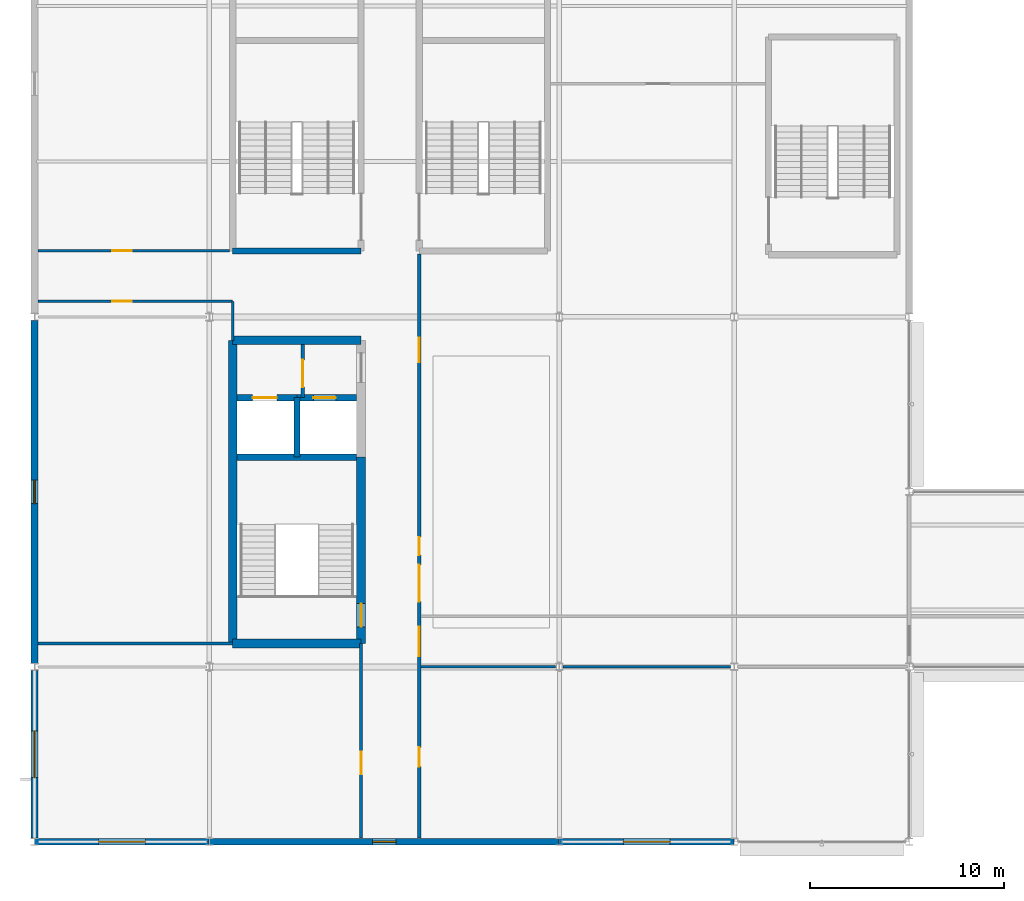
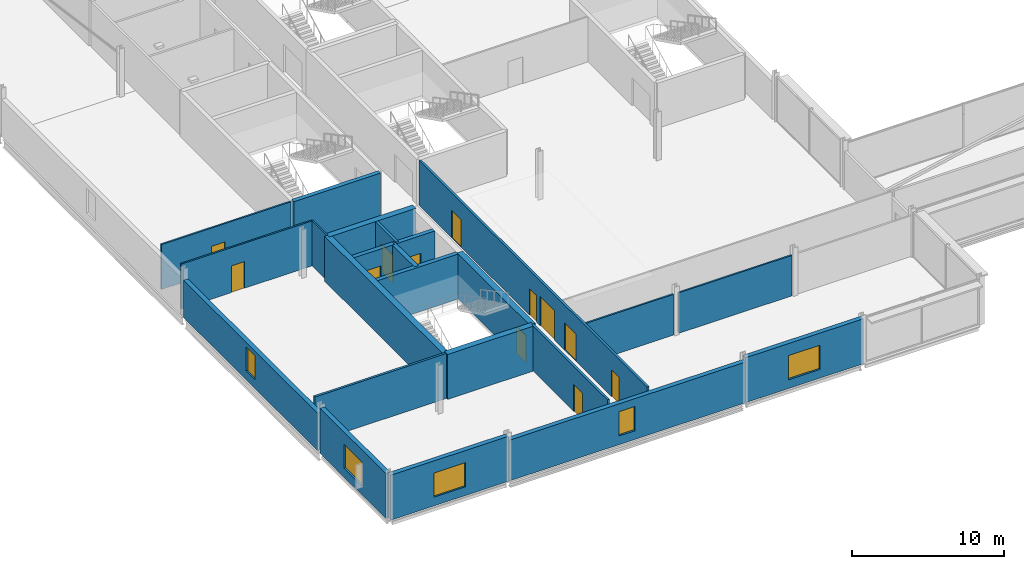
# One storey, part 57 of 98: 23 walls, 12 doors, 5 windows, 17 openings.
"""IFC4 building model written with IfcOpenShell, lengths in metres."""

from ifc_helpers import new_model, si_unit, direction, frame, frame_2d, origin, place, context, subcontext, project, spatial, rectangle, extrude, material, layer, layer_set, type_object, element, fill, save


model = new_model("IFC4")

# Units and contexts
model_context = context("Model", 3, precision=1e-05, world=origin(), true_north=direction((0.0, 1.0)))
body_context = subcontext(model_context, "Body", "Model", "MODEL_VIEW")
ifc_project = project(units=[si_unit("LENGTHUNIT", "METRE"), si_unit("AREAUNIT", "SQUARE_METRE"), si_unit("VOLUMEUNIT", "CUBIC_METRE"), si_unit("PLANEANGLEUNIT", "RADIAN"), si_unit("MASSUNIT", "GRAM", prefix="KILO")], contexts=[model_context])

# Site, building, storey
site_placement = place(None, origin())
site = spatial("IfcSite", under=ifc_project, at=site_placement, CompositionType="ELEMENT")
building_placement = place(site_placement, origin())
building = spatial("IfcBuilding", under=site, at=building_placement, Name="Kisiwana Market Hall", CompositionType="ELEMENT")
storey_placement = place(building_placement, frame((0.0, 0.0, 29.39990234375)))
storey = spatial("IfcBuildingStorey", under=building, at=storey_placement, Name="L06", CompositionType="ELEMENT", Elevation=29.39990234375)

# Wall, opening, door
ifc_material_1 = material(Name="Masonry blockwork", Category="masonry")
ifc_layer_1 = layer(ifc_material_1, 0.199951171875, Name="Plastered fire compartment block wall")
ifc_layer_set_1 = layer_set([ifc_layer_1], Name="WL-COMP-200")
wall_type_1 = type_object("IfcWallType", Name="WL-COMP-200", PredefinedType="PARTITIONING", material=ifc_layer_set_1)
wall_1_placement = place(storey_placement, frame((13.800048828125, 31.844970703125, 0.0), z_axis=(0.0, 0.0, 1.0), x_axis=(0.0, 1.0, 0.0)))
wall_1 = element("IfcWall", 1, at=wall_1_placement, inside=storey, type_object=wall_type_1, Name="Core W2 firefighting lobby wall W-2014", PredefinedType="PARTITIONING", context=body_context, shape_type="SweptSolid", body=[
    extrude(rectangle(XDim=2.72998046875, YDim=0.199951171875, at=frame_2d((1.364990234375, 0.0))), origin(), (0.0, 0.0, 1.0), 3.6201171875),
])
opening_1_placement = place(wall_1_placement, frame((0.550048828125, 0.0, 0.0)))
opening_1 = element("IfcOpeningElement", 2, at=opening_1_placement, cuts=wall_1, Name="Opening DR-L06-003", PredefinedType="OPENING", context=body_context, shape_type="SweptSolid", body=[
    extrude(rectangle(XDim=1.39990234375, YDim=2.25, at=frame_2d((0.699951171875, 1.125))), frame((0.0, 0.11181640625, 0.0), z_axis=(0.0, -1.0, 0.0), x_axis=(1.0, 0.0, 0.0)), (0.0, 0.0, 1.0), 0.223876953125),
])
ifc_material_2 = material(Name="Steel S275", Category="steel")
door_type_1 = type_object("IfcDoorType", Name="DR-FFLOB-FD120-1400", OperationType="DOUBLE_DOOR_SINGLE_SWING", PredefinedType="DOOR", material=ifc_material_2)
door_1_placement = place(opening_1_placement, frame((1.39990234375, 0.0, 0.0), z_axis=(0.0, 0.0, 1.0), x_axis=(-1.0, 0.0, 0.0)))
door_1 = element("IfcDoor", 3, at=door_1_placement, inside=storey, type_object=door_type_1, Name="Firefighting Lift Lobby W2 Door (L06)", OperationType="DOUBLE_DOOR_SINGLE_SWING", OverallHeight=2.25, OverallWidth=1.39990234375, PredefinedType="DOOR", context=body_context, shape_type="SweptSolid", body=[
    extrude(rectangle(XDim=1.39990234375, YDim=2.25, at=frame_2d((0.699951171875, 1.125))), frame((0.0, 0.02490234375, 0.0), z_axis=(0.0, -1.0, 0.0), x_axis=(1.0, 0.0, 0.0)), (0.0, 0.0, 1.0), 0.050048828125),
])
fill(opening_1, door_1)

# Walls
ifc_material_3 = material(Name="Concrete C40/50", Category="concrete")
ifc_layer_2 = layer(ifc_material_3, 0.320068359375, Name="Reinforced concrete shaft wall")
ifc_layer_set_2 = layer_set([ifc_layer_2], Name="WL-CORE-320")
wall_type_2 = type_object("IfcWallType", Name="WL-CORE-320", PredefinedType="SHEAR", material=ifc_layer_set_2)
wall_2_placement = place(storey_placement, frame((10.425048828125, 28.784912109375, 0.0), z_axis=(0.0, 0.0, 1.0), x_axis=(1.0, 0.0, 0.0)))
element("IfcWall", 4, at=wall_2_placement, inside=storey, type_object=wall_type_2, Name="Core W2 shaft back shear wall W-1895", PredefinedType="SHEAR", context=body_context, shape_type="SweptSolid", body=[
    extrude(rectangle(XDim=6.14990234375, YDim=0.320068359375, at=frame_2d((3.074951171875, 0.0))), origin(), (0.0, 0.0, 1.0), 3.6201171875),
])
wall_3_placement = place(storey_placement, frame((13.5, 28.784912109375, 0.0), z_axis=(0.0, 0.0, 1.0), x_axis=(0.0, 1.0, 0.0)))
element("IfcWall", 5, at=wall_3_placement, inside=storey, type_object=wall_type_2, Name="Core W2 inter-shaft shear wall W-1896", PredefinedType="SHEAR", context=body_context, shape_type="SweptSolid", body=[
    extrude(rectangle(XDim=3.06005859375, YDim=0.320068359375, at=frame_2d((1.530029296875, 0.0))), origin(), (0.0, 0.0, 1.0), 3.6201171875),
])

# Wall, opening, door
wall_4_placement = place(storey_placement, frame((10.425048828125, 31.844970703125, 0.0), z_axis=(0.0, 0.0, 1.0), x_axis=(1.0, 0.0, 0.0)))
wall_4 = element("IfcWall", 6, at=wall_4_placement, inside=storey, type_object=wall_type_2, Name="Core W2 west lift front wall W-1897", PredefinedType="SHEAR", context=body_context, shape_type="SweptSolid", body=[
    extrude(rectangle(XDim=3.074951171875, YDim=0.320068359375, at=frame_2d((1.53759765625, 0.0))), origin(), (0.0, 0.0, 1.0), 3.6201171875),
])
opening_2_placement = place(wall_4_placement, frame((0.800048828125, 0.0, 0.0)))
opening_2 = element("IfcOpeningElement", 7, at=opening_2_placement, cuts=wall_4, Name="Opening LD-L06-001", PredefinedType="OPENING", context=body_context, shape_type="SweptSolid", body=[
    extrude(rectangle(XDim=1.25, YDim=2.25, at=frame_2d((0.625, 1.125))), frame((0.0, 0.171875, 0.0), z_axis=(0.0, -1.0, 0.0), x_axis=(1.0, 0.0, 0.0)), (0.0, 0.0, 1.0), 0.343994140625),
])
ifc_material_4 = material(Name="Steel S275", Category="steel")
door_type_2 = type_object("IfcDoorType", Name="DR-LIFT-FFL-1250", OperationType="DOUBLE_DOOR_SLIDING", PredefinedType="DOOR", material=ifc_material_4)
door_2_placement = place(opening_2_placement, origin())
door_2 = element("IfcDoor", 8, at=door_2_placement, inside=storey, type_object=door_type_2, Name="Lift Landing Door FFL-01 (L06)", OperationType="DOUBLE_DOOR_SLIDING", OverallHeight=2.25, OverallWidth=1.25, PredefinedType="DOOR", context=body_context, shape_type="SweptSolid", body=[
    extrude(rectangle(XDim=1.25, YDim=2.25, at=frame_2d((0.625, 1.125))), frame((0.0, 0.02490234375, 0.0), z_axis=(0.0, -1.0, 0.0), x_axis=(1.0, 0.0, 0.0)), (0.0, 0.0, 1.0), 0.050048828125),
])
fill(opening_2, door_2)

wall_5_placement = place(storey_placement, frame((13.5, 31.844970703125, 0.0), z_axis=(0.0, 0.0, 1.0), x_axis=(1.0, 0.0, 0.0)))
wall_5 = element("IfcWall", 9, at=wall_5_placement, inside=storey, type_object=wall_type_2, Name="Core W2 east lift front wall W-1898", PredefinedType="SHEAR", context=body_context, shape_type="SweptSolid", body=[
    extrude(rectangle(XDim=3.074951171875, YDim=0.320068359375, at=frame_2d((1.53759765625, 0.0))), origin(), (0.0, 0.0, 1.0), 3.6201171875),
])
opening_3_placement = place(wall_5_placement, frame((0.85009765625, 0.0, 0.0)))
opening_3 = element("IfcOpeningElement", 10, at=opening_3_placement, cuts=wall_5, Name="Opening LD-L06-002", PredefinedType="OPENING", context=body_context, shape_type="SweptSolid", body=[
    extrude(rectangle(XDim=1.14990234375, YDim=2.199951171875, at=frame_2d((0.574951171875, 1.10009765625))), frame((0.0, 0.171875, 0.0), z_axis=(0.0, -1.0, 0.0), x_axis=(1.0, 0.0, 0.0)), (0.0, 0.0, 1.0), 0.343994140625),
])
ifc_material_5 = material(Name="Steel S275", Category="steel")
door_type_3 = type_object("IfcDoorType", Name="DR-LIFT-PAX-1150", OperationType="DOUBLE_DOOR_SLIDING", PredefinedType="DOOR", material=ifc_material_5)
door_3_placement = place(opening_3_placement, origin())
door_3 = element("IfcDoor", 11, at=door_3_placement, inside=storey, type_object=door_type_3, Name="Lift Landing Door LP-01 (L06)", OperationType="DOUBLE_DOOR_SLIDING", OverallHeight=2.199951171875, OverallWidth=1.14990234375, PredefinedType="DOOR", context=body_context, shape_type="SweptSolid", body=[
    extrude(rectangle(XDim=1.14990234375, YDim=2.199951171875, at=frame_2d((0.574951171875, 1.10009765625))), frame((0.0, 0.02490234375, 0.0), z_axis=(0.0, -1.0, 0.0), x_axis=(1.0, 0.0, 0.0)), (0.0, 0.0, 1.0), 0.050048828125),
])
fill(opening_3, door_3)

# Walls
wall_6_placement = place(storey_placement, frame((10.199951171875, 39.39990234375, 0.0), z_axis=(0.0, 0.0, 1.0), x_axis=(1.0, 0.0, 0.0)))
element("IfcWall", 12, at=wall_6_placement, inside=storey, type_object=wall_type_2, Name="Core W3 south shear wall W-1926", PredefinedType="SHEAR", context=body_context, shape_type="SweptSolid", body=[
    extrude(rectangle(XDim=6.60009765625, YDim=0.320068359375, at=frame_2d((3.300048828125, 0.0))), origin(), (0.0, 0.0, 1.0), 3.6201171875),
])
ifc_material_6 = material(Name="Concrete C40/50", Category="concrete")
ifc_layer_3 = layer(ifc_material_6, 0.449951171875, Name="Reinforced concrete core wall")
ifc_layer_set_3 = layer_set([ifc_layer_3], Name="WL-CORE-450")
wall_type_3 = type_object("IfcWallType", Name="WL-CORE-450", PredefinedType="SHEAR", material=ifc_layer_set_3)
for number, where, z_axis, x_axis, name in (
    (13, (10.199951171875, 19.199951171875, 0.0), (0.0, 0.0, 1.0), (1.0, 0.0, 0.0), "Core W2 south shear wall W-1890"),
    (14, (10.199951171875, 34.800048828125, 0.0), (0.0, 0.0, 1.0), (1.0, 0.0, 0.0), "Core W2 north shear wall W-1891"),
):
    element("IfcWall", number, at=place(storey_placement, frame(where, z_axis=z_axis, x_axis=x_axis)), inside=storey, type_object=wall_type_3, Name=name, PredefinedType="SHEAR", context=body_context, shape_type="SweptSolid", body=[
        extrude(rectangle(XDim=6.60009765625, YDim=0.449951171875, at=frame_2d((3.300048828125, 0.0))), origin(), (0.0, 0.0, 1.0), 3.6201171875),
    ])
wall_7_placement = place(storey_placement, frame((10.199951171875, 19.199951171875, 0.0), z_axis=(0.0, 0.0, 1.0), x_axis=(0.0, 1.0, 0.0)))
element("IfcWall", 15, at=wall_7_placement, inside=storey, type_object=wall_type_3, Name="Core W2 outer shear wall W-1892", PredefinedType="SHEAR", context=body_context, shape_type="SweptSolid", body=[
    extrude(rectangle(XDim=15.60009765625, YDim=0.449951171875, at=frame_2d((7.800048828125, 0.0))), origin(), (0.0, 0.0, 1.0), 3.6201171875),
])

# Wall, opening, door
wall_8_placement = place(storey_placement, frame((16.800048828125, 19.199951171875, 0.0), z_axis=(0.0, 0.0, 1.0), x_axis=(0.0, 1.0, 0.0)))
wall_8 = element("IfcWall", 16, at=wall_8_placement, inside=storey, type_object=wall_type_3, Name="Core W2 stair corridor shear wall W-1893", PredefinedType="SHEAR", context=body_context, shape_type="SweptSolid", body=[
    extrude(rectangle(XDim=9.5849609375, YDim=0.449951171875, at=frame_2d((4.79248046875, 0.0))), origin(), (0.0, 0.0, 1.0), 3.6201171875),
])
opening_4_placement = place(wall_8_placement, frame((0.85009765625, 0.0, 0.0)))
opening_4 = element("IfcOpeningElement", 17, at=opening_4_placement, cuts=wall_8, Name="Opening DR-L06-001", PredefinedType="OPENING", context=body_context, shape_type="SweptSolid", body=[
    extrude(rectangle(XDim=1.199951171875, YDim=2.199951171875, at=frame_2d((0.60009765625, 1.10009765625))), frame((0.0, 0.23681640625, 0.0), z_axis=(0.0, -1.0, 0.0), x_axis=(1.0, 0.0, 0.0)), (0.0, 0.0, 1.0), 0.473876953125),
])
ifc_material_7 = material(Name="Steel S275", Category="steel")
door_type_4 = type_object("IfcDoorType", Name="DR-STAIR-FD120-1200", OperationType="NOTDEFINED", PredefinedType="DOOR", material=ifc_material_7)
door_4_placement = place(opening_4_placement, origin())
door_4 = element("IfcDoor", 18, at=door_4_placement, inside=storey, type_object=door_type_4, Name="Escape Stair W2 Fire Door (L06)", OperationType="SINGLE_SWING_LEFT", OverallHeight=2.199951171875, OverallWidth=1.199951171875, PredefinedType="DOOR", context=body_context, shape_type="SweptSolid", body=[
    extrude(rectangle(XDim=1.199951171875, YDim=2.199951171875, at=frame_2d((0.60009765625, 1.10009765625))), frame((0.0, 0.02490234375, 0.0), z_axis=(0.0, -1.0, 0.0), x_axis=(1.0, 0.0, 0.0)), (0.0, 0.0, 1.0), 0.050048828125),
])
fill(opening_4, door_4)

# Wall
ifc_material_8 = material(Name="Masonry blockwork", Category="masonry")
ifc_layer_4 = layer(ifc_material_8, 0.169921875, Name="Protected corridor partition")
ifc_layer_set_4 = layer_set([ifc_layer_4], Name="WL-CORR-170")
wall_type_4 = type_object("IfcWallType", Name="WL-CORR-170", PredefinedType="PARTITIONING", material=ifc_layer_set_4)
wall_9_placement = place(storey_placement, frame((0.1826171875, 19.199951171875, 0.0), z_axis=(0.0, 0.0, 1.0), x_axis=(1.0, 0.0, 0.0)))
element("IfcWall", 19, at=wall_9_placement, inside=storey, type_object=wall_type_4, Name="Interior partition W-2024", PredefinedType="PARTITIONING", context=body_context, shape_type="SweptSolid", body=[
    extrude(rectangle(XDim=10.017333984375, YDim=0.169921875, at=frame_2d((5.0087890625, 0.0))), origin(), (0.0, 0.0, 1.0), 3.6201171875),
])

# Wall, opening, door
wall_10_placement = place(storey_placement, frame((16.800048828125, 9.1826171875, 0.0), z_axis=(0.0, 0.0, 1.0), x_axis=(0.0, 1.0, 0.0)))
wall_10 = element("IfcWall", 20, at=wall_10_placement, inside=storey, type_object=wall_type_4, Name="Interior partition W-2030", PredefinedType="PARTITIONING", context=body_context, shape_type="SweptSolid", body=[
    extrude(rectangle(XDim=10.017333984375, YDim=0.169921875, at=frame_2d((5.0087890625, 0.0))), origin(), (0.0, 0.0, 1.0), 3.6201171875),
])
opening_5_placement = place(wall_10_placement, frame((3.300048828125, 0.0, 0.0)))
opening_5 = element("IfcOpeningElement", 21, at=opening_5_placement, cuts=wall_10, Name="Opening DR-L06-033", PredefinedType="OPENING", context=body_context, shape_type="SweptSolid", body=[
    extrude(rectangle(XDim=1.14990234375, YDim=2.14990234375, at=frame_2d((0.574951171875, 1.074951171875))), frame((0.0, 0.096923828125, 0.0), z_axis=(0.0, -1.0, 0.0), x_axis=(1.0, 0.0, 0.0)), (0.0, 0.0, 1.0), 0.19384765625),
])
ifc_material_9 = material(Name="Aluminium alloy 6063-T6", Category="aluminium")
door_type_5 = type_object("IfcDoorType", Name="DR-MEET-1150", OperationType="NOTDEFINED", PredefinedType="DOOR", material=ifc_material_9)
door_5_placement = place(opening_5_placement, origin())
door_5 = element("IfcDoor", 22, at=door_5_placement, inside=storey, type_object=door_type_5, Name="L06 W Corner Office Suite South Door", OperationType="SINGLE_SWING_LEFT", OverallHeight=2.14990234375, OverallWidth=1.14990234375, PredefinedType="DOOR", context=body_context, shape_type="SweptSolid", body=[
    extrude(rectangle(XDim=1.14990234375, YDim=2.14990234375, at=frame_2d((0.574951171875, 1.074951171875))), frame((0.0, 0.02490234375, 0.0), z_axis=(0.0, -1.0, 0.0), x_axis=(1.0, 0.0, 0.0)), (0.0, 0.0, 1.0), 0.050048828125),
])
fill(opening_5, door_5)

# Wall, openings, doors
wall_11_placement = place(storey_placement, frame((19.800048828125, 9.1826171875, 0.0), z_axis=(0.0, 0.0, 1.0), x_axis=(0.0, 1.0, 0.0)))
wall_11 = element("IfcWall", 23, at=wall_11_placement, inside=storey, type_object=wall_type_4, Name="Interior partition W-2042", PredefinedType="PARTITIONING", context=body_context, shape_type="SweptSolid", body=[
    extrude(rectangle(XDim=30.057373046875, YDim=0.169921875, at=frame_2d((15.02880859375, 0.0))), origin(), (0.0, 0.0, 1.0), 3.6201171875),
])
opening_6_placement = place(wall_11_placement, frame((3.677978515625, 0.0, 0.0)))
opening_6 = element("IfcOpeningElement", 24, at=opening_6_placement, cuts=wall_11, Name="Opening DR-L06-036", PredefinedType="OPENING", context=body_context, shape_type="SweptSolid", body=[
    extrude(rectangle(XDim=1.0, YDim=2.14990234375, at=frame_2d((0.5, 1.074951171875))), frame((0.0, 0.096923828125, 0.0), z_axis=(0.0, -1.0, 0.0), x_axis=(1.0, 0.0, 0.0)), (0.0, 0.0, 1.0), 0.19384765625),
])
opening_7_placement = place(wall_11_placement, frame((9.367919921875, 0.0, 0.0)))
opening_7 = element("IfcOpeningElement", 25, at=opening_7_placement, cuts=wall_11, Name="Opening DR-L06-037", PredefinedType="OPENING", context=body_context, shape_type="SweptSolid", body=[
    extrude(rectangle(XDim=1.5, YDim=2.199951171875, at=frame_2d((0.75, 1.10009765625))), frame((0.0, 0.096923828125, 0.0), z_axis=(0.0, -1.0, 0.0), x_axis=(1.0, 0.0, 0.0)), (0.0, 0.0, 1.0), 0.19384765625),
])
opening_8_placement = place(wall_11_placement, frame((24.47705078125, 0.0, 0.0)))
opening_8 = element("IfcOpeningElement", 26, at=opening_8_placement, cuts=wall_11, Name="Opening DR-L06-038", PredefinedType="OPENING", context=body_context, shape_type="SweptSolid", body=[
    extrude(rectangle(XDim=1.280029296875, YDim=2.199951171875, at=frame_2d((0.64013671875, 1.10009765625))), frame((0.0, 0.096923828125, 0.0), z_axis=(0.0, -1.0, 0.0), x_axis=(1.0, 0.0, 0.0)), (0.0, 0.0, 1.0), 0.19384765625),
])
opening_9_placement = place(wall_11_placement, frame((14.569091796875, 0.0, 0.0)))
opening_9 = element("IfcOpeningElement", 27, at=opening_9_placement, cuts=wall_11, Name="Opening DR-L06-039", PredefinedType="OPENING", context=body_context, shape_type="SweptSolid", body=[
    extrude(rectangle(XDim=0.919921875, YDim=2.14990234375, at=frame_2d((0.4599609375, 1.074951171875))), frame((0.0, 0.096923828125, 0.0), z_axis=(0.0, -1.0, 0.0), x_axis=(1.0, 0.0, 0.0)), (0.0, 0.0, 1.0), 0.19384765625),
])
opening_10_placement = place(wall_11_placement, frame((12.16796875, 0.0, 0.0)))
opening_10 = element("IfcOpeningElement", 28, at=opening_10_placement, cuts=wall_11, Name="Opening DR-L06-040", PredefinedType="OPENING", context=body_context, shape_type="SweptSolid", body=[
    extrude(rectangle(XDim=1.89990234375, YDim=2.35009765625, at=frame_2d((0.949951171875, 1.175048828125))), frame((0.0, 0.096923828125, 0.0), z_axis=(0.0, -1.0, 0.0), x_axis=(1.0, 0.0, 0.0)), (0.0, 0.0, 1.0), 0.19384765625),
])
ifc_material_10 = material(Name="Steel S275", Category="steel")
door_type_6 = type_object("IfcDoorType", Name="DR-CORR-FD60-1500", OperationType="DOUBLE_DOOR_SINGLE_SWING", PredefinedType="DOOR", material=ifc_material_10)
door_6_placement = place(opening_7_placement, origin())
door_6 = element("IfcDoor", 29, at=door_6_placement, inside=storey, type_object=door_type_6, Name="L06 W South Skybridge Link Corridor Door", OperationType="DOUBLE_DOOR_SINGLE_SWING", OverallHeight=2.199951171875, OverallWidth=1.5, PredefinedType="DOOR", context=body_context, shape_type="SweptSolid", body=[
    extrude(rectangle(XDim=1.5, YDim=2.199951171875, at=frame_2d((0.75, 1.10009765625))), frame((0.0, 0.02490234375, 0.0), z_axis=(0.0, -1.0, 0.0), x_axis=(1.0, 0.0, 0.0)), (0.0, 0.0, 1.0), 0.050048828125),
])
fill(opening_7, door_6)
ifc_material_11 = material(Name="Steel S275", Category="steel")
door_type_7 = type_object("IfcDoorType", Name="DR-HALL-1900", OperationType="DOUBLE_DOOR_SINGLE_SWING", PredefinedType="DOOR", material=ifc_material_11)
door_7_placement = place(opening_10_placement, frame((1.89990234375, 0.0, 0.0), z_axis=(0.0, 0.0, 1.0), x_axis=(-1.0, 0.0, 0.0)))
door_7 = element("IfcDoor", 30, at=door_7_placement, inside=storey, type_object=door_type_7, Name="L06 W Meeting Room A2 Exit Door", OperationType="DOUBLE_DOOR_SINGLE_SWING", OverallHeight=2.35009765625, OverallWidth=1.89990234375, PredefinedType="DOOR", context=body_context, shape_type="SweptSolid", body=[
    extrude(rectangle(XDim=1.89990234375, YDim=2.35009765625, at=frame_2d((0.949951171875, 1.175048828125))), frame((0.0, 0.02490234375, 0.0), z_axis=(0.0, -1.0, 0.0), x_axis=(1.0, 0.0, 0.0)), (0.0, 0.0, 1.0), 0.050048828125),
])
fill(opening_10, door_7)
ifc_material_12 = material(Name="Hardwood timber", Category="wood")
door_type_8 = type_object("IfcDoorType", Name="DR-MEET-1280", OperationType="NOTDEFINED", PredefinedType="DOOR", material=ifc_material_12)
door_8_placement = place(opening_8_placement, frame((1.280029296875, 0.0, 0.0), z_axis=(0.0, 0.0, 1.0), x_axis=(-1.0, 0.0, 0.0)))
door_8 = element("IfcDoor", 31, at=door_8_placement, inside=storey, type_object=door_type_8, Name="L06 W Meeting Room A2 Door", OperationType="SINGLE_SWING_LEFT", OverallHeight=2.199951171875, OverallWidth=1.280029296875, PredefinedType="DOOR", context=body_context, shape_type="SweptSolid", body=[
    extrude(rectangle(XDim=1.280029296875, YDim=2.199951171875, at=frame_2d((0.64013671875, 1.10009765625))), frame((0.0, 0.02490234375, 0.0), z_axis=(0.0, -1.0, 0.0), x_axis=(1.0, 0.0, 0.0)), (0.0, 0.0, 1.0), 0.050048828125),
])
fill(opening_8, door_8)
ifc_material_13 = material(Name="Hardwood timber", Category="wood")
door_type_9 = type_object("IfcDoorType", Name="DR-OFF-0920", OperationType="NOTDEFINED", PredefinedType="DOOR", material=ifc_material_13)
door_9_placement = place(opening_9_placement, frame((0.919921875, 0.0, 0.0), z_axis=(0.0, 0.0, 1.0), x_axis=(-1.0, 0.0, 0.0)))
door_9 = element("IfcDoor", 32, at=door_9_placement, inside=storey, type_object=door_type_9, Name="L06 W Open-Plan Office A3 Door", OperationType="SINGLE_SWING_RIGHT", OverallHeight=2.14990234375, OverallWidth=0.919921875, PredefinedType="DOOR", context=body_context, shape_type="SweptSolid", body=[
    extrude(rectangle(XDim=0.919921875, YDim=2.14990234375, at=frame_2d((0.4599609375, 1.074951171875))), frame((0.0, 0.02490234375, 0.0), z_axis=(0.0, -1.0, 0.0), x_axis=(1.0, 0.0, 0.0)), (0.0, 0.0, 1.0), 0.050048828125),
])
fill(opening_9, door_9)
ifc_material_14 = material(Name="Aluminium alloy 6063-T6", Category="aluminium")
door_type_10 = type_object("IfcDoorType", Name="DR-OFF-1000", OperationType="NOTDEFINED", PredefinedType="DOOR", material=ifc_material_14)
door_10_placement = place(opening_6_placement, frame((1.0, 0.0, 0.0), z_axis=(0.0, 0.0, 1.0), x_axis=(-1.0, 0.0, 0.0)))
door_10 = element("IfcDoor", 33, at=door_10_placement, inside=storey, type_object=door_type_10, Name="L06 W Commercial Office A1 Door", OperationType="SINGLE_SWING_RIGHT", OverallHeight=2.14990234375, OverallWidth=1.0, PredefinedType="DOOR", context=body_context, shape_type="SweptSolid", body=[
    extrude(rectangle(XDim=1.0, YDim=2.14990234375, at=frame_2d((0.5, 1.074951171875))), frame((0.0, 0.02490234375, 0.0), z_axis=(0.0, -1.0, 0.0), x_axis=(1.0, 0.0, 0.0)), (0.0, 0.0, 1.0), 0.050048828125),
])
fill(opening_6, door_10)

# Wall, opening, window
ifc_material_15 = material(Name="Concrete C40/50 precast", Category="concrete")
ifc_layer_5 = layer(ifc_material_15, 0.14990234375, Name="Precast architectural concrete spandrel")
ifc_material_16 = material(Name="Mineral wool insulation")
ifc_layer_6 = layer(ifc_material_16, 0.090087890625, Name="Rockwool thermal insulation")
ifc_material_17 = material(Name="Masonry blockwork", Category="masonry")
ifc_layer_7 = layer(ifc_material_17, 0.10009765625, Name="Inner masonry block leaf")
ifc_layer_set_5 = layer_set([ifc_layer_5, ifc_layer_6, ifc_layer_7], Name="WL-EXT-PREC-340")
wall_type_5 = type_object("IfcWallType", Name="WL-EXT-PREC-340", PredefinedType="STANDARD", material=ifc_layer_set_5)
wall_12_placement = place(storey_placement, frame((0.010009765625, 9.0, 0.0), z_axis=(0.0, 0.0, 1.0), x_axis=(1.0, 0.0, 0.0)))
wall_12 = element("IfcWall", 34, at=wall_12_placement, inside=storey, type_object=wall_type_5, Name="Exterior wall W-1990", PredefinedType="STANDARD", context=body_context, shape_type="SweptSolid", body=[
    extrude(rectangle(XDim=8.97998046875, YDim=0.340087890625, at=frame_2d((4.489990234375, 0.0))), origin(), (0.0, 0.0, 1.0), 3.6201171875),
])
opening_11_placement = place(wall_12_placement, frame((3.2900390625, 0.0, 0.699951171875)))
opening_11 = element("IfcOpeningElement", 35, at=opening_11_placement, cuts=wall_12, Name="Opening WN-27", PredefinedType="OPENING", context=body_context, shape_type="SweptSolid", body=[
    extrude(rectangle(XDim=2.39990234375, YDim=1.949951171875, at=frame_2d((1.199951171875, 0.97509765625))), frame((0.0, 0.18212890625, 0.0), z_axis=(0.0, -1.0, 0.0), x_axis=(1.0, 0.0, 0.0)), (0.0, 0.0, 1.0), 0.364013671875),
])
ifc_material_18 = material(Name="Double-glazed solar-control low-E IGU", Category="glass")
window_type_1 = type_object("IfcWindowType", Name="WN-OFFA-2400x1950", PartitioningType="SINGLE_PANEL", PredefinedType="WINDOW", material=ifc_material_18)
window_1_placement = place(opening_11_placement, origin())
window_1 = element("IfcWindow", 36, at=window_1_placement, inside=storey, type_object=window_type_1, Name="Exterior window WN-199", OverallHeight=1.949951171875, OverallWidth=2.39990234375, PartitioningType="SINGLE_PANEL", PredefinedType="WINDOW", context=body_context, shape_type="SweptSolid", body=[
    extrude(rectangle(XDim=2.39990234375, YDim=1.949951171875, at=frame_2d((1.199951171875, 0.97509765625))), frame((0.0, 0.030029296875, 0.0), z_axis=(0.0, -1.0, 0.0), x_axis=(1.0, 0.0, 0.0)), (0.0, 0.0, 1.0), 0.06005859375),
])
fill(opening_11, window_1)

wall_13_placement = place(storey_placement, frame((9.010009765625, 9.0, 0.0), z_axis=(0.0, 0.0, 1.0), x_axis=(1.0, 0.0, 0.0)))
wall_13 = element("IfcWall", 37, at=wall_13_placement, inside=storey, type_object=wall_type_5, Name="Exterior wall W-1991", PredefinedType="STANDARD", context=body_context, shape_type="SweptSolid", body=[
    extrude(rectangle(XDim=17.97998046875, YDim=0.340087890625, at=frame_2d((8.989990234375, 0.0))), origin(), (0.0, 0.0, 1.0), 3.2802734375),
])
opening_12_placement = place(wall_13_placement, frame((8.389892578125, 0.0, 0.699951171875)))
opening_12 = element("IfcOpeningElement", 38, at=opening_12_placement, cuts=wall_13, Name="Opening WN-15", PredefinedType="OPENING", context=body_context, shape_type="SweptSolid", body=[
    extrude(rectangle(XDim=1.199951171875, YDim=1.949951171875, at=frame_2d((0.60009765625, 0.97509765625))), frame((0.0, 0.18212890625, 0.0), z_axis=(0.0, -1.0, 0.0), x_axis=(1.0, 0.0, 0.0)), (0.0, 0.0, 1.0), 0.364013671875),
])
ifc_material_19 = material(Name="Double-glazed solar-control low-E IGU", Category="glass")
window_type_2 = type_object("IfcWindowType", Name="WN-OFFA-1200x1950", PartitioningType="SINGLE_PANEL", PredefinedType="WINDOW", material=ifc_material_19)
window_2_placement = place(opening_12_placement, origin())
window_2 = element("IfcWindow", 39, at=window_2_placement, inside=storey, type_object=window_type_2, Name="Exterior window WN-187", OverallHeight=1.949951171875, OverallWidth=1.199951171875, PartitioningType="SINGLE_PANEL", PredefinedType="WINDOW", context=body_context, shape_type="SweptSolid", body=[
    extrude(rectangle(XDim=1.199951171875, YDim=1.949951171875, at=frame_2d((0.60009765625, 0.97509765625))), frame((0.0, 0.030029296875, 0.0), z_axis=(0.0, -1.0, 0.0), x_axis=(1.0, 0.0, 0.0)), (0.0, 0.0, 1.0), 0.06005859375),
])
fill(opening_12, window_2)

wall_14_placement = place(storey_placement, frame((27.010009765625, 9.0, 0.0), z_axis=(0.0, 0.0, 1.0), x_axis=(1.0, 0.0, 0.0)))
wall_14 = element("IfcWall", 40, at=wall_14_placement, inside=storey, type_object=wall_type_5, Name="Exterior wall W-1992", PredefinedType="STANDARD", context=body_context, shape_type="SweptSolid", body=[
    extrude(rectangle(XDim=8.97998046875, YDim=0.340087890625, at=frame_2d((4.489990234375, 0.0))), origin(), (0.0, 0.0, 1.0), 3.6201171875),
])
opening_13_placement = place(wall_14_placement, frame((3.2900390625, 0.0, 0.699951171875)))
opening_13 = element("IfcOpeningElement", 41, at=opening_13_placement, cuts=wall_14, Name="Opening WN-27", PredefinedType="OPENING", context=body_context, shape_type="SweptSolid", body=[
    extrude(rectangle(XDim=2.39990234375, YDim=1.949951171875, at=frame_2d((1.199951171875, 0.97509765625))), frame((0.0, 0.18212890625, 0.0), z_axis=(0.0, -1.0, 0.0), x_axis=(1.0, 0.0, 0.0)), (0.0, 0.0, 1.0), 0.364013671875),
])
window_3_placement = place(opening_13_placement, origin())
window_3 = element("IfcWindow", 42, at=window_3_placement, inside=storey, type_object=window_type_1, Name="Exterior window WN-200", OverallHeight=1.949951171875, OverallWidth=2.39990234375, PartitioningType="SINGLE_PANEL", PredefinedType="WINDOW", context=body_context, shape_type="SweptSolid", body=[
    extrude(rectangle(XDim=2.39990234375, YDim=1.949951171875, at=frame_2d((1.199951171875, 0.97509765625))), frame((0.0, 0.030029296875, 0.0), z_axis=(0.0, -1.0, 0.0), x_axis=(1.0, 0.0, 0.0)), (0.0, 0.0, 1.0), 0.06005859375),
])
fill(opening_13, window_3)

wall_15_placement = place(storey_placement, frame((0.0, 9.1806640625, 0.0), z_axis=(0.0, 0.0, 1.0), x_axis=(0.0, 1.0, 0.0)))
wall_15 = element("IfcWall", 43, at=wall_15_placement, inside=storey, type_object=wall_type_5, Name="Exterior wall W-2000", PredefinedType="STANDARD", context=body_context, shape_type="SweptSolid", body=[
    extrude(rectangle(XDim=8.638671875, YDim=0.340087890625, at=frame_2d((4.3193359375, 0.0))), origin(), (0.0, 0.0, 1.0), 3.6201171875),
])
opening_14_placement = place(wall_15_placement, frame((3.119384765625, 0.0, 0.699951171875)))
opening_14 = element("IfcOpeningElement", 44, at=opening_14_placement, cuts=wall_15, Name="Opening WN-27", PredefinedType="OPENING", context=body_context, shape_type="SweptSolid", body=[
    extrude(rectangle(XDim=2.39990234375, YDim=1.949951171875, at=frame_2d((1.199951171875, 0.97509765625))), frame((0.0, 0.18212890625, 0.0), z_axis=(0.0, -1.0, 0.0), x_axis=(1.0, 0.0, 0.0)), (0.0, 0.0, 1.0), 0.364013671875),
])
window_4_placement = place(opening_14_placement, origin())
window_4 = element("IfcWindow", 45, at=window_4_placement, inside=storey, type_object=window_type_1, Name="Exterior window WN-205", OverallHeight=1.949951171875, OverallWidth=2.39990234375, PartitioningType="SINGLE_PANEL", PredefinedType="WINDOW", context=body_context, shape_type="SweptSolid", body=[
    extrude(rectangle(XDim=2.39990234375, YDim=1.949951171875, at=frame_2d((1.199951171875, 0.97509765625))), frame((0.0, 0.030029296875, 0.0), z_axis=(0.0, -1.0, 0.0), x_axis=(1.0, 0.0, 0.0)), (0.0, 0.0, 1.0), 0.06005859375),
])
fill(opening_14, window_4)

wall_16_placement = place(storey_placement, frame((0.0, 18.1806640625, 0.0), z_axis=(0.0, 0.0, 1.0), x_axis=(0.0, 1.0, 0.0)))
wall_16 = element("IfcWall", 46, at=wall_16_placement, inside=storey, type_object=wall_type_5, Name="Exterior wall W-2001", PredefinedType="STANDARD", context=body_context, shape_type="SweptSolid", body=[
    extrude(rectangle(XDim=17.638671875, YDim=0.340087890625, at=frame_2d((8.8193359375, 0.0))), origin(), (0.0, 0.0, 1.0), 3.0078125),
])
opening_15_placement = place(wall_16_placement, frame((8.219482421875, 0.0, 0.699951171875)))
opening_15 = element("IfcOpeningElement", 47, at=opening_15_placement, cuts=wall_16, Name="Opening WN-15", PredefinedType="OPENING", context=body_context, shape_type="SweptSolid", body=[
    extrude(rectangle(XDim=1.199951171875, YDim=1.949951171875, at=frame_2d((0.60009765625, 0.97509765625))), frame((0.0, 0.18212890625, 0.0), z_axis=(0.0, -1.0, 0.0), x_axis=(1.0, 0.0, 0.0)), (0.0, 0.0, 1.0), 0.364013671875),
])
window_5_placement = place(opening_15_placement, origin())
window_5 = element("IfcWindow", 48, at=window_5_placement, inside=storey, type_object=window_type_2, Name="Exterior window WN-191", OverallHeight=1.949951171875, OverallWidth=1.199951171875, PartitioningType="SINGLE_PANEL", PredefinedType="WINDOW", context=body_context, shape_type="SweptSolid", body=[
    extrude(rectangle(XDim=1.199951171875, YDim=1.949951171875, at=frame_2d((0.60009765625, 0.97509765625))), frame((0.0, 0.030029296875, 0.0), z_axis=(0.0, -1.0, 0.0), x_axis=(1.0, 0.0, 0.0)), (0.0, 0.0, 1.0), 0.06005859375),
])
fill(opening_15, window_5)

# Wall
ifc_material_20 = material(Name="Gypsum plasterboard")
ifc_layer_8 = layer(ifc_material_20, 0.125, Name="Double gypsum board + acoustic stud")
ifc_layer_set_6 = layer_set([ifc_layer_8], Name="WL-OFF-125")
wall_type_6 = type_object("IfcWallType", Name="WL-OFF-125", PredefinedType="PARTITIONING", material=ifc_layer_set_6)
wall_17_placement = place(storey_placement, frame((10.199951171875, 34.800048828125, 0.0), z_axis=(0.0, 0.0, 1.0), x_axis=(0.0, 1.0, 0.0)))
element("IfcWall", 49, at=wall_17_placement, inside=storey, type_object=wall_type_6, Name="Interior partition W-2022", PredefinedType="PARTITIONING", context=body_context, shape_type="SweptSolid", body=[
    extrude(rectangle(XDim=2.0, YDim=0.125, at=frame_2d((1.0, 0.0))), origin(), (0.0, 0.0, 1.0), 3.6201171875),
])

# Wall, opening, door
wall_18_placement = place(storey_placement, frame((0.1826171875, 36.800048828125, 0.0), z_axis=(0.0, 0.0, 1.0), x_axis=(1.0, 0.0, 0.0)))
wall_18 = element("IfcWall", 50, at=wall_18_placement, inside=storey, type_object=wall_type_6, Name="Interior partition W-2026", PredefinedType="PARTITIONING", context=body_context, shape_type="SweptSolid", body=[
    extrude(rectangle(XDim=10.017333984375, YDim=0.125, at=frame_2d((5.0087890625, 0.0))), origin(), (0.0, 0.0, 1.0), 3.6201171875),
])
opening_16_placement = place(wall_18_placement, frame((3.81689453125, 0.0, 0.0)))
opening_16 = element("IfcOpeningElement", 51, at=opening_16_placement, cuts=wall_18, Name="Opening DR-L06-030", PredefinedType="OPENING", context=body_context, shape_type="SweptSolid", body=[
    extrude(rectangle(XDim=1.0, YDim=2.14990234375, at=frame_2d((0.5, 1.074951171875))), frame((0.0, 0.074462890625, 0.0), z_axis=(0.0, -1.0, 0.0), x_axis=(1.0, 0.0, 0.0)), (0.0, 0.0, 1.0), 0.14892578125),
])
door_11_placement = place(opening_16_placement, frame((1.0, 0.0, 0.0), z_axis=(0.0, 0.0, 1.0), x_axis=(-1.0, 0.0, 0.0)))
door_11 = element("IfcDoor", 52, at=door_11_placement, inside=storey, type_object=door_type_10, Name="L06 W Commercial Office South Door", OperationType="SINGLE_SWING_RIGHT", OverallHeight=2.14990234375, OverallWidth=1.0, PredefinedType="DOOR", context=body_context, shape_type="SweptSolid", body=[
    extrude(rectangle(XDim=1.0, YDim=2.14990234375, at=frame_2d((0.5, 1.074951171875))), frame((0.0, 0.02490234375, 0.0), z_axis=(0.0, -1.0, 0.0), x_axis=(1.0, 0.0, 0.0)), (0.0, 0.0, 1.0), 0.050048828125),
])
fill(opening_16, door_11)

wall_19_placement = place(storey_placement, frame((0.1826171875, 39.39990234375, 0.0), z_axis=(0.0, 0.0, 1.0), x_axis=(1.0, 0.0, 0.0)))
wall_19 = element("IfcWall", 53, at=wall_19_placement, inside=storey, type_object=wall_type_6, Name="Interior partition W-2027", PredefinedType="PARTITIONING", context=body_context, shape_type="SweptSolid", body=[
    extrude(rectangle(XDim=9.857421875, YDim=0.125, at=frame_2d((4.9287109375, 0.0))), origin(), (0.0, 0.0, 1.0), 3.6201171875),
])
opening_17_placement = place(wall_19_placement, frame((3.81689453125, 0.0, 0.0)))
opening_17 = element("IfcOpeningElement", 54, at=opening_17_placement, cuts=wall_19, Name="Opening DR-L06-031", PredefinedType="OPENING", context=body_context, shape_type="SweptSolid", body=[
    extrude(rectangle(XDim=1.0, YDim=2.14990234375, at=frame_2d((0.5, 1.074951171875))), frame((0.0, 0.074462890625, 0.0), z_axis=(0.0, -1.0, 0.0), x_axis=(1.0, 0.0, 0.0)), (0.0, 0.0, 1.0), 0.14892578125),
])
door_12_placement = place(opening_17_placement, origin())
door_12 = element("IfcDoor", 55, at=door_12_placement, inside=storey, type_object=door_type_10, Name="L06 W Commercial Office Central Door", OperationType="SINGLE_SWING_LEFT", OverallHeight=2.14990234375, OverallWidth=1.0, PredefinedType="DOOR", context=body_context, shape_type="SweptSolid", body=[
    extrude(rectangle(XDim=1.0, YDim=2.14990234375, at=frame_2d((0.5, 1.074951171875))), frame((0.0, 0.02490234375, 0.0), z_axis=(0.0, -1.0, 0.0), x_axis=(1.0, 0.0, 0.0)), (0.0, 0.0, 1.0), 0.050048828125),
])
fill(opening_17, door_12)

# Walls
wall_20_placement = place(storey_placement, frame((19.885009765625, 18.0, 0.0), z_axis=(0.0, 0.0, 1.0), x_axis=(1.0, 0.0, 0.0)))
element("IfcWall", 56, at=wall_20_placement, inside=storey, type_object=wall_type_6, Name="Interior partition W-2032", PredefinedType="PARTITIONING", context=body_context, shape_type="SweptSolid", body=[
    extrude(rectangle(XDim=6.927734375, YDim=0.125, at=frame_2d((3.4638671875, 0.0))), origin(), (0.0, 0.0, 1.0), 3.2802734375),
])
wall_21_placement = place(storey_placement, frame((27.187255859375, 18.0, 0.0), z_axis=(0.0, 0.0, 1.0), x_axis=(1.0, 0.0, 0.0)))
element("IfcWall", 57, at=wall_21_placement, inside=storey, type_object=wall_type_6, Name="Interior partition W-2033", PredefinedType="PARTITIONING", context=body_context, shape_type="SweptSolid", body=[
    extrude(rectangle(XDim=8.6318359375, YDim=0.125, at=frame_2d((4.31591796875, 0.0))), origin(), (0.0, 0.0, 1.0), 3.260009765625),
])

save(model, "model.ifc")
